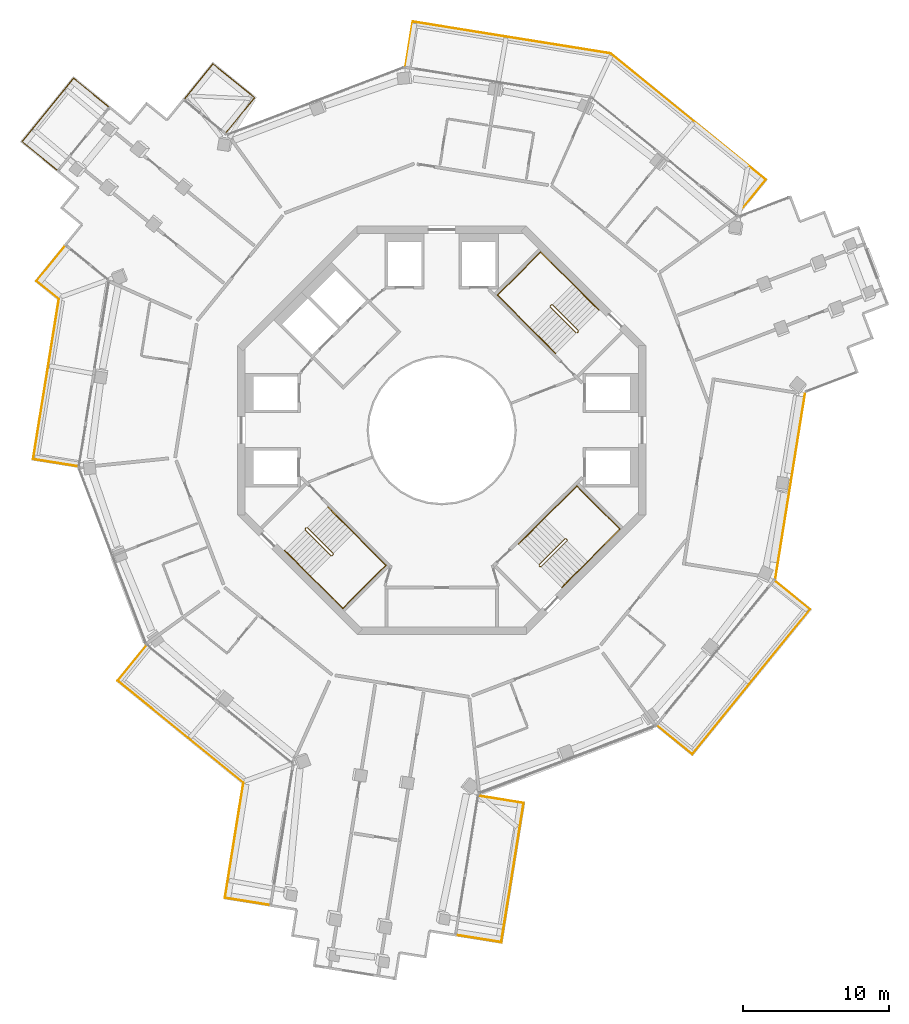
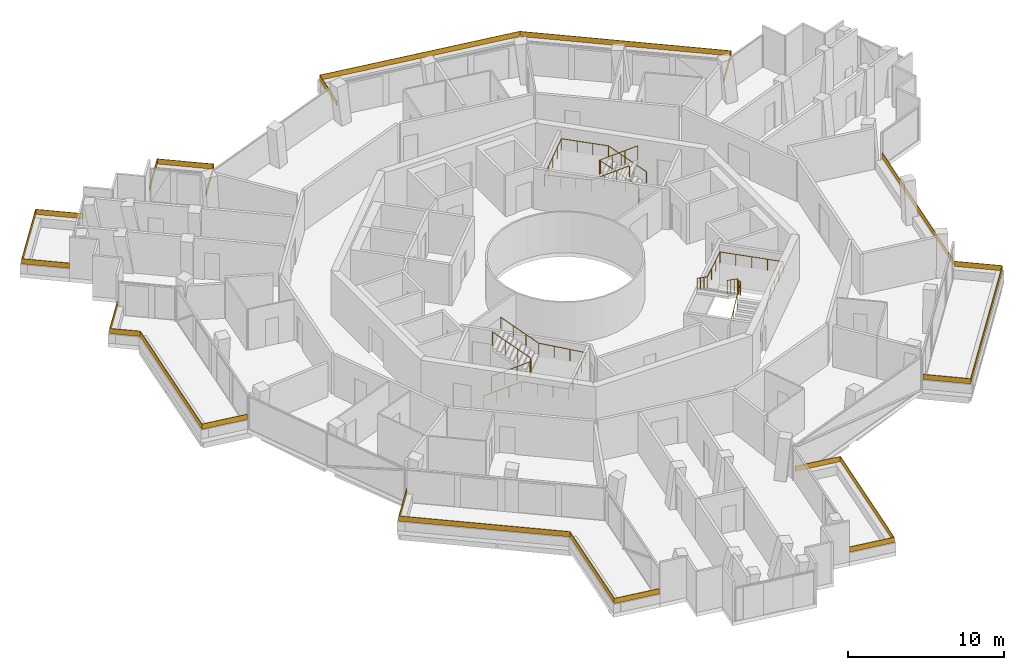
# One storey, part 23 of 23: 14 railings.
"""IFC4 building model written with IfcOpenShell, lengths in metres."""

from ifc_helpers import new_model, si_unit, direction, frame, origin, origin_2d, place, context, subcontext, project, spatial, polyline, rectangle, circle, outline, extrude, material, layer, layer_set, type_object, element, save


model = new_model("IFC4")

# Units and contexts
model_context = context("Model", 3, precision=1e-05, world=origin(), true_north=direction((0.0, 1.0)))
body_context = subcontext(model_context, "Body", "Model", "MODEL_VIEW")
ifc_project = project(units=[si_unit("LENGTHUNIT", "METRE"), si_unit("AREAUNIT", "SQUARE_METRE"), si_unit("VOLUMEUNIT", "CUBIC_METRE"), si_unit("PLANEANGLEUNIT", "RADIAN"), si_unit("MASSUNIT", "GRAM", prefix="KILO")], contexts=[model_context])

# Site, building, storey
site_placement = place(None, origin())
site = spatial("IfcSite", under=ifc_project, at=site_placement, CompositionType="ELEMENT")
building_placement = place(site_placement, origin())
building = spatial("IfcBuilding", under=site, at=building_placement, Name="Verdalira Terraces Hotel", CompositionType="ELEMENT")
storey_placement = place(building_placement, frame((0.0, 0.0, 241.0)))
storey = spatial("IfcBuildingStorey", under=building, at=storey_placement, Name="L59", CompositionType="ELEMENT", Elevation=241.0)

# Railings
ifc_material_1 = material(Name="Laminated glass", Category="glass")
ifc_layer = layer(ifc_material_1, 0.0400390625)
ifc_layer_set = layer_set([ifc_layer], Name="Balcony glass guard 400")
railing_type_1 = type_object("IfcRailingType", Name="Balcony glass guard 400", PredefinedType="GUARDRAIL", material=ifc_layer_set)
railing_1_placement = place(storey_placement, frame((0.0, 0.0, 0.699951)))
element("IfcRailing", 1, at=railing_1_placement, inside=storey, type_object=railing_type_1, Name="Balcony glass guard", PredefinedType="GUARDRAIL", context=body_context, shape_type="SweptSolid", body=[
    extrude(outline(polyline([(-25.253174, 24.120605), (-28.76123, 19.806885), (-26.372314, 17.864258), (-26.397705, 17.833252), (-28.817383, 19.80127), (-25.258789, 24.176758), (-22.839111, 22.208984), (-22.864258, 22.177979), (-25.253174, 24.120605)])), origin(), (0.0, 0.0, 1.0), 0.400146),
])
railing_2_placement = place(storey_placement, frame((0.0, 0.0, 0.699951)))
element("IfcRailing", 2, at=railing_2_placement, inside=storey, type_object=railing_type_1, Name="Balcony glass guard", PredefinedType="GUARDRAIL", context=body_context, shape_type="SweptSolid", body=[
    extrude(outline(polyline([(-27.775879, 10.240967), (-26.244385, 8.995361), (-28.003906, -1.966064), (-24.963867, -2.454102), (-24.970215, -2.493652), (-28.049805, -1.999268), (-26.287598, 8.97876), (-27.832275, 10.235107), (-25.864258, 12.655029), (-25.833252, 12.629639), (-27.775879, 10.240967)])), origin(), (0.0, 0.0, 1.0), 0.400146),
])
railing_3_placement = place(storey_placement, frame((0.0, 0.0, 0.699951)))
element("IfcRailing", 3, at=railing_3_placement, inside=storey, type_object=railing_type_1, Name="Balcony glass guard", PredefinedType="GUARDRAIL", context=body_context, shape_type="SweptSolid", body=[
    extrude(outline(polyline([(-22.19873, -17.184326), (-13.585693, -24.188965), (-14.849609, -32.0625), (-11.80957, -32.550537), (-11.815918, -32.589844), (-14.895508, -32.095459), (-13.628906, -24.205322), (-22.255127, -17.190186), (-20.287109, -14.770264), (-20.256104, -14.795654), (-22.19873, -17.184326)])), origin(), (0.0, 0.0, 1.0), 0.400146),
])
railing_4_placement = place(storey_placement, frame((0.0, 0.0, 0.699951)))
element("IfcRailing", 4, at=railing_4_placement, inside=storey, type_object=railing_type_1, Name="Balcony glass guard", PredefinedType="GUARDRAIL", context=body_context, shape_type="SweptSolid", body=[
    extrude(outline(polyline([(4.068115, -35.099365), (5.594971, -25.588623), (2.554688, -25.100586), (2.561035, -25.061035), (5.640625, -25.55542), (4.101318, -35.145264), (1.021729, -34.650879), (1.028076, -34.611328), (4.068115, -35.099365)])), origin(), (0.0, 0.0, 1.0), 0.400146),
])
railing_5_placement = place(storey_placement, frame((0.0, 0.0, 0.699951)))
element("IfcRailing", 5, at=railing_5_placement, inside=storey, type_object=railing_type_1, Name="Balcony glass guard", PredefinedType="GUARDRAIL", context=body_context, shape_type="SweptSolid", body=[
    extrude(outline(polyline([(17.184326, -22.19873), (25.235352, -12.299316), (22.846436, -10.356689), (22.871582, -10.325439), (25.291504, -12.293457), (17.190186, -22.255127), (14.770264, -20.287109), (14.795654, -20.256104), (17.184326, -22.19873)])), origin(), (0.0, 0.0, 1.0), 0.400146),
])
railing_6_placement = place(storey_placement, frame((0.0, 0.0, 0.699951)))
element("IfcRailing", 6, at=railing_6_placement, inside=storey, type_object=railing_type_1, Name="Balcony glass guard", PredefinedType="GUARDRAIL", context=body_context, shape_type="SweptSolid", body=[
    extrude(outline(polyline([(22.19873, 17.184326), (11.565918, 25.831543), (-1.966064, 28.003906), (-2.454102, 24.963867), (-2.493652, 24.970215), (-1.999268, 28.049805), (11.582764, 25.869385), (22.255127, 17.190186), (20.287109, 14.770264), (20.256104, 14.795654), (22.19873, 17.184326)])), origin(), (0.0, 0.0, 1.0), 0.400146),
])
railing_7_placement = place(storey_placement, frame((0.0, 0.0, 0.699951)))
element("IfcRailing", 7, at=railing_7_placement, inside=storey, type_object=railing_type_1, Name="Balcony glass guard", PredefinedType="GUARDRAIL", context=body_context, shape_type="SweptSolid", body=[
    extrude(outline(polyline([(-12.868896, 22.813721), (-15.687012, 25.105713), (-17.629639, 22.717041), (-17.660889, 22.742188), (-15.692871, 25.162109), (-12.8125, 22.81958), (-14.780518, 20.399902), (-14.811523, 20.425049), (-12.868896, 22.813721)])), origin(), (0.0, 0.0, 1.0), 0.400146),
])
railing_8_placement = place(storey_placement, frame((23.902344, -3.837158, 0.699951), z_axis=(0.0, 0.0, 1.0), x_axis=(0.15850273, 0.987358539, 0.0)))
element("IfcRailing", 8, at=railing_8_placement, inside=storey, type_object=railing_type_1, Name="Loggia glass guard", PredefinedType="GUARDRAIL", context=body_context, shape_type="SweptSolid", body=[
    extrude(rectangle(XDim=12.840088, YDim=0.040039, at=origin_2d()), origin(), (0.0, 0.0, 1.0), 0.399902),
])
ifc_material_2 = material(Name="Stainless steel", Category="steel")
railing_type_2 = type_object("IfcRailingType", Name="Stair guard 1100", PredefinedType="GUARDRAIL", material=ifc_material_2)
railing_9_placement = place(storey_placement, frame((9.369141, 6.75293, 0.0)))
element("IfcRailing", 9, at=railing_9_placement, inside=storey, type_object=railing_type_2, Name="L59 ST1 stair guard 1", PredefinedType="GUARDRAIL", context=body_context, shape_type="SweptSolid", body=[
    extrude(circle(Radius=0.023926, at=origin_2d()), frame((0.0, 0.0, 1.076172), z_axis=(-0.707106781, -0.707106781, 0.0), x_axis=(0.707106781, -0.707106781, 0.0)), (0.0, 0.0, 1.0), 0.100098),
    extrude(circle(Radius=0.023926, at=origin_2d()), frame((-0.070801, -0.070801, 1.076172), z_axis=(0.300162975, 0.599290904, 0.742127078), x_axis=(-0.894118129, 0.447831187, 0.0)), (0.0, 0.0, 1.0), 0.23584),
    extrude(circle(Radius=0.023926, at=origin_2d()), frame((0.0, 0.070557, 1.250977), z_axis=(-0.599637504, 0.599637504, 0.52997144), x_axis=(-0.707106781, -0.707106781, 0.0)), (0.0, 0.0, 1.0), 2.97168),
    extrude(circle(Radius=0.023926, at=origin_2d()), frame((-1.781982, 1.852539, 2.826172), z_axis=(-1.0, 0.0, 0.0), x_axis=(0.0, -1.0, 0.0)), (0.0, 0.0, 1.0), 0.070557),
    extrude(circle(Radius=0.023926, at=origin_2d()), frame((-1.852539, 1.852539, 2.826172), z_axis=(-0.707106781, -0.707106781, 0.0), x_axis=(0.707106781, -0.707106781, 0.0)), (0.0, 0.0, 1.0), 0.100098),
    extrude(circle(Radius=0.023926, at=origin_2d()), frame((-1.92334, 1.781738, 2.826172), z_axis=(0.0, -0.373842709, 0.927492118), x_axis=(1.0, 0.0, 0.0)), (0.0, 0.0, 1.0), 0.188721),
    extrude(circle(Radius=0.023926, at=origin_2d()), frame((-1.92334, 1.711182, 3.000977), z_axis=(0.599637504, -0.599637504, 0.52997144), x_axis=(0.707106781, 0.707106781, 0.0)), (0.0, 0.0, 1.0), 2.97168),
    extrude(circle(Radius=0.020996, at=origin_2d()), origin(), (0.0, 0.0, 1.0), 1.052002),
    extrude(circle(Radius=0.020996, at=origin_2d()), frame((-0.070801, -0.070801, 0.0)), (0.0, 0.0, 1.0), 1.052002),
    extrude(circle(Radius=0.020996, at=origin_2d()), frame((0.0, 0.070557, 0.175049)), (0.0, 0.0, 1.0), 1.052002),
    extrude(circle(Radius=0.020996, at=origin_2d()), frame((-0.593994, 0.664551, 0.699951)), (0.0, 0.0, 1.0), 1.052002),
    extrude(circle(Radius=0.020996, at=origin_2d()), frame((-1.187988, 1.258545, 1.225098)), (0.0, 0.0, 1.0), 1.052002),
    extrude(circle(Radius=0.020996, at=origin_2d()), frame((-1.781982, 1.852539, 1.75)), (0.0, 0.0, 1.0), 1.052002),
    extrude(circle(Radius=0.020996, at=origin_2d()), frame((-1.852539, 1.852539, 1.75)), (0.0, 0.0, 1.0), 1.052002),
    extrude(circle(Radius=0.020996, at=origin_2d()), frame((-1.92334, 1.781738, 1.75)), (0.0, 0.0, 1.0), 1.052002),
    extrude(circle(Radius=0.020996, at=origin_2d()), frame((-1.92334, 1.711182, 1.925049)), (0.0, 0.0, 1.0), 1.052002),
    extrude(circle(Radius=0.020996, at=origin_2d()), frame((-1.329346, 1.117188, 2.449951)), (0.0, 0.0, 1.0), 1.052002),
    extrude(circle(Radius=0.020996, at=origin_2d()), frame((-0.735352, 0.523193, 2.975098)), (0.0, 0.0, 1.0), 1.052002),
    extrude(circle(Radius=0.020996, at=origin_2d()), frame((-0.141357, -0.070801, 3.5)), (0.0, 0.0, 1.0), 1.052002),
])
railing_10_placement = place(storey_placement, frame((-9.369141, -6.75293, 0.0)))
element("IfcRailing", 10, at=railing_10_placement, inside=storey, type_object=railing_type_2, Name="L59 ST2 stair guard 1", PredefinedType="GUARDRAIL", context=body_context, shape_type="SweptSolid", body=[
    extrude(circle(Radius=0.023926, at=origin_2d()), frame((0.0, 0.0, 1.076172), z_axis=(0.707106781, 0.707106781, 0.0), x_axis=(-0.707106781, 0.707106781, 0.0)), (0.0, 0.0, 1.0), 0.100098),
    extrude(circle(Radius=0.023926, at=origin_2d()), frame((0.070801, 0.070801, 1.076172), z_axis=(-0.300162975, -0.599290904, 0.742127078), x_axis=(0.894118129, -0.447831187, 0.0)), (0.0, 0.0, 1.0), 0.23584),
    extrude(circle(Radius=0.023926, at=origin_2d()), frame((0.0, -0.070557, 1.250977), z_axis=(0.599637504, -0.599637504, 0.52997144), x_axis=(0.707106781, 0.707106781, 0.0)), (0.0, 0.0, 1.0), 2.97168),
    extrude(circle(Radius=0.023926, at=origin_2d()), frame((1.781982, -1.852539, 2.826172), z_axis=(1.0, 0.0, 0.0), x_axis=(0.0, 1.0, 0.0)), (0.0, 0.0, 1.0), 0.070557),
    extrude(circle(Radius=0.023926, at=origin_2d()), frame((1.852539, -1.852539, 2.826172), z_axis=(0.707106781, 0.707106781, 0.0), x_axis=(-0.707106781, 0.707106781, 0.0)), (0.0, 0.0, 1.0), 0.100098),
    extrude(circle(Radius=0.023926, at=origin_2d()), frame((1.92334, -1.781738, 2.826172), z_axis=(0.0, 0.373842709, 0.927492118), x_axis=(-1.0, 0.0, 0.0)), (0.0, 0.0, 1.0), 0.188721),
    extrude(circle(Radius=0.023926, at=origin_2d()), frame((1.92334, -1.711182, 3.000977), z_axis=(-0.599637504, 0.599637504, 0.52997144), x_axis=(-0.707106781, -0.707106781, 0.0)), (0.0, 0.0, 1.0), 2.97168),
    extrude(circle(Radius=0.020996, at=origin_2d()), origin(), (0.0, 0.0, 1.0), 1.052002),
    extrude(circle(Radius=0.020996, at=origin_2d()), frame((0.070801, 0.070801, 0.0)), (0.0, 0.0, 1.0), 1.052002),
    extrude(circle(Radius=0.020996, at=origin_2d()), frame((0.0, -0.070557, 0.175049)), (0.0, 0.0, 1.0), 1.052002),
    extrude(circle(Radius=0.020996, at=origin_2d()), frame((0.593994, -0.664551, 0.699951)), (0.0, 0.0, 1.0), 1.052002),
    extrude(circle(Radius=0.020996, at=origin_2d()), frame((1.187988, -1.258545, 1.225098)), (0.0, 0.0, 1.0), 1.052002),
    extrude(circle(Radius=0.020996, at=origin_2d()), frame((1.781982, -1.852539, 1.75)), (0.0, 0.0, 1.0), 1.052002),
    extrude(circle(Radius=0.020996, at=origin_2d()), frame((1.852539, -1.852539, 1.75)), (0.0, 0.0, 1.0), 1.052002),
    extrude(circle(Radius=0.020996, at=origin_2d()), frame((1.92334, -1.781738, 1.75)), (0.0, 0.0, 1.0), 1.052002),
    extrude(circle(Radius=0.020996, at=origin_2d()), frame((1.92334, -1.711182, 1.925049)), (0.0, 0.0, 1.0), 1.052002),
    extrude(circle(Radius=0.020996, at=origin_2d()), frame((1.329346, -1.117188, 2.449951)), (0.0, 0.0, 1.0), 1.052002),
    extrude(circle(Radius=0.020996, at=origin_2d()), frame((0.735352, -0.523193, 2.975098)), (0.0, 0.0, 1.0), 1.052002),
    extrude(circle(Radius=0.020996, at=origin_2d()), frame((0.141357, 0.070801, 3.5)), (0.0, 0.0, 1.0), 1.052002),
])
railing_11_placement = place(storey_placement, frame((6.75293, -9.369141, 0.0)))
element("IfcRailing", 11, at=railing_11_placement, inside=storey, type_object=railing_type_2, Name="L59 ST3 stair guard 1", PredefinedType="GUARDRAIL", context=body_context, shape_type="SweptSolid", body=[
    extrude(circle(Radius=0.023926, at=origin_2d()), frame((0.0, 0.0, 1.076172), z_axis=(-0.707106781, 0.707106781, 0.0), x_axis=(-0.707106781, -0.707106781, 0.0)), (0.0, 0.0, 1.0), 0.100098),
    extrude(circle(Radius=0.023926, at=origin_2d()), frame((-0.070801, 0.070801, 1.076172), z_axis=(0.599290904, -0.300162975, 0.742127078), x_axis=(0.447831187, 0.894118129, 0.0)), (0.0, 0.0, 1.0), 0.23584),
    extrude(circle(Radius=0.023926, at=origin_2d()), frame((0.070557, 0.0, 1.250977), z_axis=(0.599637504, 0.599637504, 0.52997144), x_axis=(-0.707106781, 0.707106781, 0.0)), (0.0, 0.0, 1.0), 2.97168),
    extrude(circle(Radius=0.023926, at=origin_2d()), frame((1.852539, 1.781982, 2.826172), z_axis=(0.0, 1.0, 0.0), x_axis=(-1.0, 0.0, 0.0)), (0.0, 0.0, 1.0), 0.070557),
    extrude(circle(Radius=0.023926, at=origin_2d()), frame((1.852539, 1.852539, 2.826172), z_axis=(-0.707106781, 0.707106781, 0.0), x_axis=(-0.707106781, -0.707106781, 0.0)), (0.0, 0.0, 1.0), 0.100098),
    extrude(circle(Radius=0.023926, at=origin_2d()), frame((1.781738, 1.92334, 2.826172), z_axis=(-0.373842709, 0.0, 0.927492118), x_axis=(0.0, -1.0, 0.0)), (0.0, 0.0, 1.0), 0.188721),
    extrude(circle(Radius=0.023926, at=origin_2d()), frame((1.711182, 1.92334, 3.000977), z_axis=(-0.599637504, -0.599637504, 0.52997144), x_axis=(0.707106781, -0.707106781, 0.0)), (0.0, 0.0, 1.0), 2.97168),
    extrude(circle(Radius=0.020996, at=origin_2d()), origin(), (0.0, 0.0, 1.0), 1.052002),
    extrude(circle(Radius=0.020996, at=origin_2d()), frame((-0.070801, 0.070801, 0.0)), (0.0, 0.0, 1.0), 1.052002),
    extrude(circle(Radius=0.020996, at=origin_2d()), frame((0.070557, 0.0, 0.175049)), (0.0, 0.0, 1.0), 1.052002),
    extrude(circle(Radius=0.020996, at=origin_2d()), frame((0.664551, 0.593994, 0.699951)), (0.0, 0.0, 1.0), 1.052002),
    extrude(circle(Radius=0.020996, at=origin_2d()), frame((1.258545, 1.187988, 1.225098)), (0.0, 0.0, 1.0), 1.052002),
    extrude(circle(Radius=0.020996, at=origin_2d()), frame((1.852539, 1.781982, 1.75)), (0.0, 0.0, 1.0), 1.052002),
    extrude(circle(Radius=0.020996, at=origin_2d()), frame((1.852539, 1.852539, 1.75)), (0.0, 0.0, 1.0), 1.052002),
    extrude(circle(Radius=0.020996, at=origin_2d()), frame((1.781738, 1.92334, 1.75)), (0.0, 0.0, 1.0), 1.052002),
    extrude(circle(Radius=0.020996, at=origin_2d()), frame((1.711182, 1.92334, 1.925049)), (0.0, 0.0, 1.0), 1.052002),
    extrude(circle(Radius=0.020996, at=origin_2d()), frame((1.117188, 1.329346, 2.449951)), (0.0, 0.0, 1.0), 1.052002),
    extrude(circle(Radius=0.020996, at=origin_2d()), frame((0.523193, 0.735352, 2.975098)), (0.0, 0.0, 1.0), 1.052002),
    extrude(circle(Radius=0.020996, at=origin_2d()), frame((-0.070801, 0.141357, 3.5)), (0.0, 0.0, 1.0), 1.052002),
])
ifc_material_3 = material(Name="Stainless steel", Category="steel")
railing_type_3 = type_object("IfcRailingType", Name="Stair handrail 900", PredefinedType="HANDRAIL", material=ifc_material_3)
railing_12_placement = place(storey_placement, frame((10.783447, 8.237793, 0.175049)))
element("IfcRailing", 12, at=railing_12_placement, inside=storey, type_object=railing_type_3, Name="L59 ST1 stair handrail 1", PredefinedType="HANDRAIL", context=body_context, shape_type="SweptSolid", body=[
    extrude(circle(Radius=0.023926, at=origin_2d()), frame((0.0, 0.0, 0.875977), z_axis=(-0.599637504, 0.599637504, 0.52997144), x_axis=(-0.707106781, -0.707106781, 0.0)), (0.0, 0.0, 1.0), 2.97168),
    extrude(circle(Radius=0.023926, at=origin_2d()), frame((-1.781982, 1.781982, 2.450684), z_axis=(-0.707106781, 0.707106781, 0.0), x_axis=(-0.707106781, -0.707106781, 0.0)), (0.0, 0.0, 1.0), 3.129883),
    extrude(circle(Radius=0.023926, at=origin_2d()), frame((-3.995117, 3.995117, 2.450684), z_axis=(-0.707135845, -0.707077716, 0.0), x_axis=(0.707077716, -0.707135845, 0.0)), (0.0, 0.0, 1.0), 4.199951),
    extrude(circle(Radius=0.023926, at=origin_2d()), frame((-6.965088, 1.025391, 2.450684), z_axis=(0.706003682, -0.706003682, 0.0558355), x_axis=(0.707106781, 0.707106781, 0.0)), (0.0, 0.0, 1.0), 3.13501),
    extrude(circle(Radius=0.023926, at=origin_2d()), frame((-4.751709, -1.187988, 2.625977), z_axis=(0.599614426, -0.599614426, 0.530023659), x_axis=(0.707106781, 0.707106781, 0.0)), (0.0, 0.0, 1.0), 2.971436),
    extrude(circle(Radius=0.020996, at=origin_2d()), origin(), (0.0, 0.0, 1.0), 0.851807),
    extrude(circle(Radius=0.020996, at=origin_2d()), frame((-0.593994, 0.593994, 0.524902)), (0.0, 0.0, 1.0), 0.851807),
    extrude(circle(Radius=0.020996, at=origin_2d()), frame((-1.187988, 1.187988, 1.050049)), (0.0, 0.0, 1.0), 0.851807),
    extrude(circle(Radius=0.020996, at=origin_2d()), frame((-1.781982, 1.781982, 1.574951)), (0.0, 0.0, 1.0), 0.851807),
    extrude(circle(Radius=0.020996, at=origin_2d()), frame((-2.519775, 2.519775, 1.574951)), (0.0, 0.0, 1.0), 0.851807),
    extrude(circle(Radius=0.020996, at=origin_2d()), frame((-3.257324, 3.257324, 1.574951)), (0.0, 0.0, 1.0), 0.851807),
    extrude(circle(Radius=0.020996, at=origin_2d()), frame((-3.995117, 3.995117, 1.574951)), (0.0, 0.0, 1.0), 0.851807),
    extrude(circle(Radius=0.020996, at=origin_2d()), frame((-4.737549, 3.252686, 1.574951)), (0.0, 0.0, 1.0), 0.851807),
    extrude(circle(Radius=0.020996, at=origin_2d()), frame((-5.47998, 2.510254, 1.574951)), (0.0, 0.0, 1.0), 0.851807),
    extrude(circle(Radius=0.020996, at=origin_2d()), frame((-6.222656, 1.767822, 1.574951)), (0.0, 0.0, 1.0), 0.851807),
    extrude(circle(Radius=0.020996, at=origin_2d()), frame((-6.965088, 1.025391, 1.574951)), (0.0, 0.0, 1.0), 0.851807),
    extrude(circle(Radius=0.020996, at=origin_2d()), frame((-6.227295, 0.287598, 1.633301)), (0.0, 0.0, 1.0), 0.851807),
    extrude(circle(Radius=0.020996, at=origin_2d()), frame((-5.489502, -0.450195, 1.69165)), (0.0, 0.0, 1.0), 0.851807),
    extrude(circle(Radius=0.020996, at=origin_2d()), frame((-4.751709, -1.187988, 1.75)), (0.0, 0.0, 1.0), 0.851807),
    extrude(circle(Radius=0.020996, at=origin_2d()), frame((-4.157715, -1.781982, 2.274902)), (0.0, 0.0, 1.0), 0.851807),
    extrude(circle(Radius=0.020996, at=origin_2d()), frame((-3.563965, -2.375732, 2.800049)), (0.0, 0.0, 1.0), 0.851807),
    extrude(circle(Radius=0.020996, at=origin_2d()), frame((-2.969971, -2.969727, 3.324951)), (0.0, 0.0, 1.0), 0.851807),
])
railing_13_placement = place(storey_placement, frame((-10.783447, -8.237793, 0.175049)))
element("IfcRailing", 13, at=railing_13_placement, inside=storey, type_object=railing_type_3, Name="L59 ST2 stair handrail 1", PredefinedType="HANDRAIL", context=body_context, shape_type="SweptSolid", body=[
    extrude(circle(Radius=0.023926, at=origin_2d()), frame((0.0, 0.0, 0.875977), z_axis=(0.599637504, -0.599637504, 0.52997144), x_axis=(0.707106781, 0.707106781, 0.0)), (0.0, 0.0, 1.0), 2.97168),
    extrude(circle(Radius=0.023926, at=origin_2d()), frame((1.781982, -1.781982, 2.450684), z_axis=(0.707106781, -0.707106781, 0.0), x_axis=(0.707106781, 0.707106781, 0.0)), (0.0, 0.0, 1.0), 3.129883),
    extrude(circle(Radius=0.023926, at=origin_2d()), frame((3.995117, -3.995117, 2.450684), z_axis=(0.707135845, 0.707077716, 0.0), x_axis=(-0.707077716, 0.707135845, 0.0)), (0.0, 0.0, 1.0), 4.199951),
    extrude(circle(Radius=0.023926, at=origin_2d()), frame((6.965088, -1.025391, 2.450684), z_axis=(-0.706003682, 0.706003682, 0.0558355), x_axis=(-0.707106781, -0.707106781, 0.0)), (0.0, 0.0, 1.0), 3.13501),
    extrude(circle(Radius=0.023926, at=origin_2d()), frame((4.751709, 1.187988, 2.625977), z_axis=(-0.599614426, 0.599614426, 0.530023659), x_axis=(-0.707106781, -0.707106781, 0.0)), (0.0, 0.0, 1.0), 2.971436),
    extrude(circle(Radius=0.020996, at=origin_2d()), origin(), (0.0, 0.0, 1.0), 0.851807),
    extrude(circle(Radius=0.020996, at=origin_2d()), frame((0.593994, -0.593994, 0.524902)), (0.0, 0.0, 1.0), 0.851807),
    extrude(circle(Radius=0.020996, at=origin_2d()), frame((1.187988, -1.187988, 1.050049)), (0.0, 0.0, 1.0), 0.851807),
    extrude(circle(Radius=0.020996, at=origin_2d()), frame((1.781982, -1.781982, 1.574951)), (0.0, 0.0, 1.0), 0.851807),
    extrude(circle(Radius=0.020996, at=origin_2d()), frame((2.519775, -2.519775, 1.574951)), (0.0, 0.0, 1.0), 0.851807),
    extrude(circle(Radius=0.020996, at=origin_2d()), frame((3.257324, -3.257324, 1.574951)), (0.0, 0.0, 1.0), 0.851807),
    extrude(circle(Radius=0.020996, at=origin_2d()), frame((3.995117, -3.995117, 1.574951)), (0.0, 0.0, 1.0), 0.851807),
    extrude(circle(Radius=0.020996, at=origin_2d()), frame((4.737549, -3.252686, 1.574951)), (0.0, 0.0, 1.0), 0.851807),
    extrude(circle(Radius=0.020996, at=origin_2d()), frame((5.47998, -2.510254, 1.574951)), (0.0, 0.0, 1.0), 0.851807),
    extrude(circle(Radius=0.020996, at=origin_2d()), frame((6.222656, -1.767822, 1.574951)), (0.0, 0.0, 1.0), 0.851807),
    extrude(circle(Radius=0.020996, at=origin_2d()), frame((6.965088, -1.025391, 1.574951)), (0.0, 0.0, 1.0), 0.851807),
    extrude(circle(Radius=0.020996, at=origin_2d()), frame((6.227295, -0.287598, 1.633301)), (0.0, 0.0, 1.0), 0.851807),
    extrude(circle(Radius=0.020996, at=origin_2d()), frame((5.489502, 0.450195, 1.69165)), (0.0, 0.0, 1.0), 0.851807),
    extrude(circle(Radius=0.020996, at=origin_2d()), frame((4.751709, 1.187988, 1.75)), (0.0, 0.0, 1.0), 0.851807),
    extrude(circle(Radius=0.020996, at=origin_2d()), frame((4.157715, 1.781982, 2.274902)), (0.0, 0.0, 1.0), 0.851807),
    extrude(circle(Radius=0.020996, at=origin_2d()), frame((3.563965, 2.375732, 2.800049)), (0.0, 0.0, 1.0), 0.851807),
    extrude(circle(Radius=0.020996, at=origin_2d()), frame((2.969971, 2.969727, 3.324951)), (0.0, 0.0, 1.0), 0.851807),
])
railing_14_placement = place(storey_placement, frame((8.237793, -10.783447, 0.175049)))
element("IfcRailing", 14, at=railing_14_placement, inside=storey, type_object=railing_type_3, Name="L59 ST3 stair handrail 1", PredefinedType="HANDRAIL", context=body_context, shape_type="SweptSolid", body=[
    extrude(circle(Radius=0.023926, at=origin_2d()), frame((0.0, 0.0, 0.875977), z_axis=(0.599637504, 0.599637504, 0.52997144), x_axis=(-0.707106781, 0.707106781, 0.0)), (0.0, 0.0, 1.0), 2.97168),
    extrude(circle(Radius=0.023926, at=origin_2d()), frame((1.781982, 1.781982, 2.450684), z_axis=(0.707106781, 0.707106781, 0.0), x_axis=(-0.707106781, 0.707106781, 0.0)), (0.0, 0.0, 1.0), 3.129883),
    extrude(circle(Radius=0.023926, at=origin_2d()), frame((3.995117, 3.995117, 2.450684), z_axis=(-0.707077716, 0.707135845, 0.0), x_axis=(-0.707135845, -0.707077716, 0.0)), (0.0, 0.0, 1.0), 4.199951),
    extrude(circle(Radius=0.023926, at=origin_2d()), frame((1.025391, 6.965088, 2.450684), z_axis=(-0.706003682, -0.706003682, 0.0558355), x_axis=(0.707106781, -0.707106781, 0.0)), (0.0, 0.0, 1.0), 3.13501),
    extrude(circle(Radius=0.023926, at=origin_2d()), frame((-1.187988, 4.751709, 2.625977), z_axis=(-0.599614426, -0.599614426, 0.530023659), x_axis=(0.707106781, -0.707106781, 0.0)), (0.0, 0.0, 1.0), 2.971436),
    extrude(circle(Radius=0.020996, at=origin_2d()), origin(), (0.0, 0.0, 1.0), 0.851807),
    extrude(circle(Radius=0.020996, at=origin_2d()), frame((0.593994, 0.593994, 0.524902)), (0.0, 0.0, 1.0), 0.851807),
    extrude(circle(Radius=0.020996, at=origin_2d()), frame((1.187988, 1.187988, 1.050049)), (0.0, 0.0, 1.0), 0.851807),
    extrude(circle(Radius=0.020996, at=origin_2d()), frame((1.781982, 1.781982, 1.574951)), (0.0, 0.0, 1.0), 0.851807),
    extrude(circle(Radius=0.020996, at=origin_2d()), frame((2.519775, 2.519775, 1.574951)), (0.0, 0.0, 1.0), 0.851807),
    extrude(circle(Radius=0.020996, at=origin_2d()), frame((3.257324, 3.257324, 1.574951)), (0.0, 0.0, 1.0), 0.851807),
    extrude(circle(Radius=0.020996, at=origin_2d()), frame((3.995117, 3.995117, 1.574951)), (0.0, 0.0, 1.0), 0.851807),
    extrude(circle(Radius=0.020996, at=origin_2d()), frame((3.252686, 4.737549, 1.574951)), (0.0, 0.0, 1.0), 0.851807),
    extrude(circle(Radius=0.020996, at=origin_2d()), frame((2.510254, 5.47998, 1.574951)), (0.0, 0.0, 1.0), 0.851807),
    extrude(circle(Radius=0.020996, at=origin_2d()), frame((1.767822, 6.222656, 1.574951)), (0.0, 0.0, 1.0), 0.851807),
    extrude(circle(Radius=0.020996, at=origin_2d()), frame((1.025391, 6.965088, 1.574951)), (0.0, 0.0, 1.0), 0.851807),
    extrude(circle(Radius=0.020996, at=origin_2d()), frame((0.287598, 6.227295, 1.633301)), (0.0, 0.0, 1.0), 0.851807),
    extrude(circle(Radius=0.020996, at=origin_2d()), frame((-0.450195, 5.489502, 1.69165)), (0.0, 0.0, 1.0), 0.851807),
    extrude(circle(Radius=0.020996, at=origin_2d()), frame((-1.187988, 4.751709, 1.75)), (0.0, 0.0, 1.0), 0.851807),
    extrude(circle(Radius=0.020996, at=origin_2d()), frame((-1.781982, 4.157715, 2.274902)), (0.0, 0.0, 1.0), 0.851807),
    extrude(circle(Radius=0.020996, at=origin_2d()), frame((-2.375732, 3.563965, 2.800049)), (0.0, 0.0, 1.0), 0.851807),
    extrude(circle(Radius=0.020996, at=origin_2d()), frame((-2.969727, 2.969971, 3.324951)), (0.0, 0.0, 1.0), 0.851807),
])

save(model, "model.ifc")
